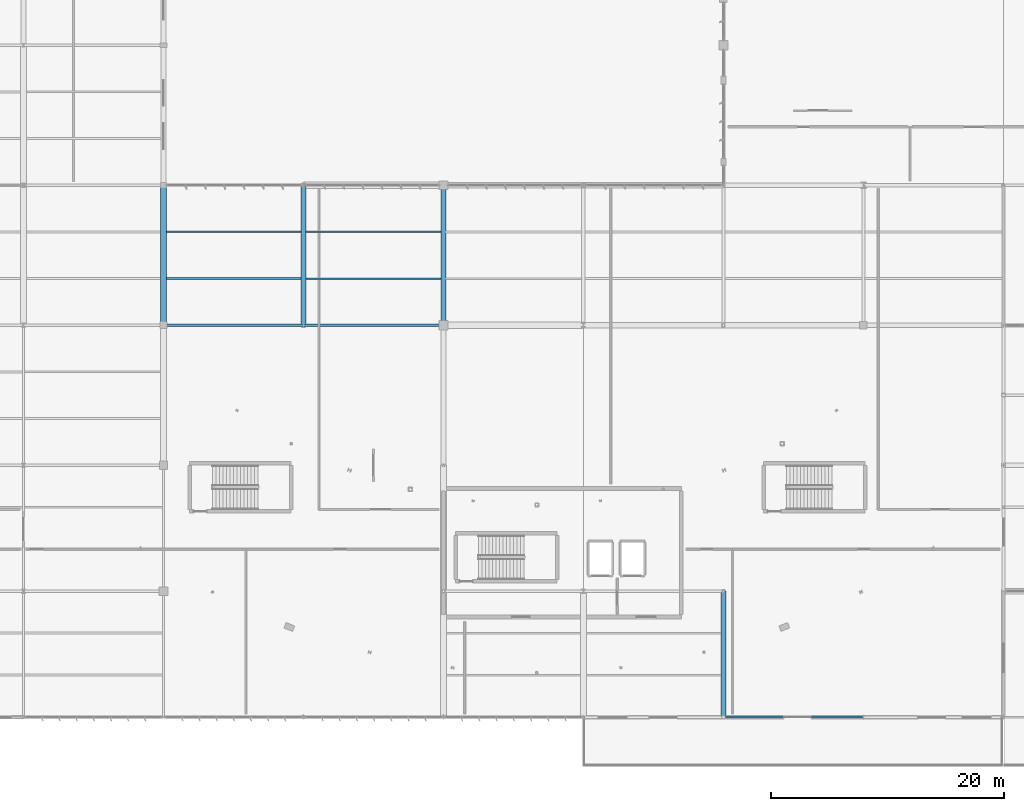
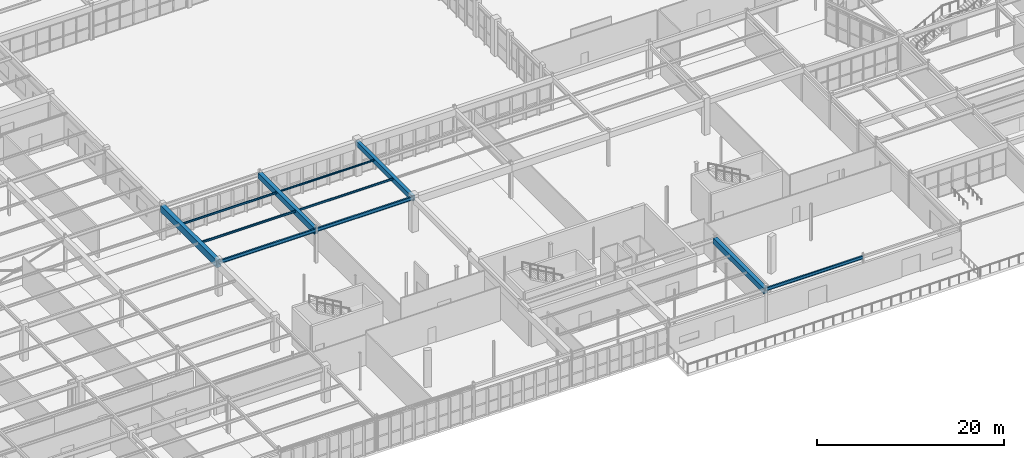
# One storey, part 75 of 199: 11 beams.
"""IFC4 building model written with IfcOpenShell, lengths in metres."""

from ifc_helpers import new_model, si_unit, direction, frame, origin, origin_2d, place, context, subcontext, project, spatial, rectangle, i_section, extrude, material, material_profile, profile_set, type_object, element, save


model = new_model("IFC4")

# Units and contexts
model_context = context("Model", 3, precision=1e-05, world=origin(), true_north=direction((0.0, 1.0)))
body_context = subcontext(model_context, "Body", "Model", "MODEL_VIEW")
ifc_project = project(units=[si_unit("LENGTHUNIT", "METRE"), si_unit("AREAUNIT", "SQUARE_METRE"), si_unit("VOLUMEUNIT", "CUBIC_METRE"), si_unit("PLANEANGLEUNIT", "RADIAN"), si_unit("MASSUNIT", "GRAM", prefix="KILO")], contexts=[model_context])

# Site, building, storey
site_placement = place(None, origin())
site = spatial("IfcSite", under=ifc_project, at=site_placement, CompositionType="ELEMENT")
building_placement = place(site_placement, origin())
building = spatial("IfcBuilding", under=site, at=building_placement, Name="Tarnwether General Hospital", CompositionType="ELEMENT")
storey_placement = place(building_placement, origin())
storey = spatial("IfcBuildingStorey", under=building, at=storey_placement, Name="L00", CompositionType="ELEMENT", Elevation=0.0)

# Beams
ifc_material_1 = material(Name="Steel Grade 350 (350 MPa)", Category="steel")
ifc_material_profile_1 = material_profile(ifc_material_1, i_section(OverallWidth=0.18994140625, OverallDepth=0.45703125, WebThickness=0.009033203125, FlangeThickness=0.014404296875, at=origin_2d()), Name="460UB74.6")
ifc_profile_set_1 = profile_set([ifc_material_profile_1], Name="Steel Grade 350 (350 MPa)")
beam_type_1 = type_object("IfcBeamType", Name="BM-G09", PredefinedType="BEAM", material=ifc_profile_set_1)
beam_1_placement = place(storey_placement, frame((60.0, 33.60009765625, 4.216552734375), z_axis=(1.0, 0.0, 0.0), x_axis=(0.0, 1.0, 0.0)))
element("IfcBeam", 1, at=beam_1_placement, inside=storey, type_object=beam_type_1, Name="Primary Girder BMG-L00-6000_3360-7200_3360-0696", PredefinedType="BEAM", context=body_context, shape_type="SweptSolid", body=[
    extrude(i_section(OverallWidth=0.18994140625, OverallDepth=0.45703125, WebThickness=0.009033203125, FlangeThickness=0.014404296875, at=origin_2d()), origin(), (0.0, 0.0, 1.0), 12.0),
])
ifc_material_2 = material(Name="Steel Grade 350 (350 MPa)", Category="steel")
ifc_material_profile_2 = material_profile(ifc_material_2, i_section(OverallWidth=0.18994140625, OverallDepth=0.4541015625, WebThickness=0.008544921875, FlangeThickness=0.0126953125, at=origin_2d()), Name="460UB67.1")
ifc_profile_set_2 = profile_set([ifc_material_profile_2], Name="Steel Grade 350 (350 MPa)")
beam_type_2 = type_object("IfcBeamType", Name="BM-G10", PredefinedType="BEAM", material=ifc_profile_set_2)
beam_2_placement = place(storey_placement, frame((72.0, 33.60009765625, 4.218017578125), z_axis=(1.0, 0.0, 0.0), x_axis=(0.0, 1.0, 0.0)))
element("IfcBeam", 2, at=beam_2_placement, inside=storey, type_object=beam_type_2, Name="Primary Girder BMG-L00-7200_3360-8400_3360-0710", PredefinedType="BEAM", context=body_context, shape_type="SweptSolid", body=[
    extrude(i_section(OverallWidth=0.18994140625, OverallDepth=0.4541015625, WebThickness=0.008544921875, FlangeThickness=0.0126953125, at=origin_2d()), origin(), (0.0, 0.0, 1.0), 12.0),
])
ifc_material_3 = material(Name="Concrete 40 MPa", Category="concrete")
ifc_material_profile_3 = material_profile(ifc_material_3, rectangle(XDim=0.5, YDim=0.89990234375, at=origin_2d()), Name="RC-BM-500x900")
ifc_profile_set_3 = profile_set([ifc_material_profile_3], Name="Concrete 40 MPa")
beam_type_3 = type_object("IfcBeamType", Name="BM-G12", PredefinedType="BEAM", material=ifc_profile_set_3)
beam_3_placement = place(storey_placement, frame((60.0, 33.60009765625, 3.9951171875), z_axis=(0.0, 1.0, 0.0), x_axis=(-1.0, 0.0, 0.0)))
element("IfcBeam", 3, at=beam_3_placement, inside=storey, type_object=beam_type_3, Name="Primary Girder BMG-L00-6000_3360-6000_4560-0697", PredefinedType="BEAM", context=body_context, shape_type="SweptSolid", body=[
    extrude(rectangle(XDim=0.5, YDim=0.89990234375, at=origin_2d()), origin(), (0.0, 0.0, 1.0), 12.0),
])
ifc_material_4 = material(Name="Concrete 40 MPa", Category="concrete")
ifc_material_profile_4 = material_profile(ifc_material_4, rectangle(XDim=0.449951171875, YDim=0.75, at=origin_2d()), Name="RC-BM-450x750")
ifc_profile_set_4 = profile_set([ifc_material_profile_4], Name="Concrete 40 MPa")
beam_type_4 = type_object("IfcBeamType", Name="BM-G13", PredefinedType="BEAM", material=ifc_profile_set_4)
beam_4_placement = place(storey_placement, frame((72.0, 33.60009765625, 4.070068359375), z_axis=(0.0, 1.0, 0.0), x_axis=(-1.0, 0.0, 0.0)))
element("IfcBeam", 4, at=beam_4_placement, inside=storey, type_object=beam_type_4, Name="Primary Girder BMG-L00-7200_3360-7200_4560-0711", PredefinedType="BEAM", context=body_context, shape_type="SweptSolid", body=[
    extrude(rectangle(XDim=0.449951171875, YDim=0.75, at=origin_2d()), origin(), (0.0, 0.0, 1.0), 12.0),
])
beam_5_placement = place(storey_placement, frame((108.0, 0.0, 4.070068359375), z_axis=(0.0, 1.0, 0.0), x_axis=(-1.0, 0.0, 0.0)))
element("IfcBeam", 5, at=beam_5_placement, inside=storey, type_object=beam_type_4, Name="Primary Girder BMG-L00-10800_0-10800_1080-0746", PredefinedType="BEAM", context=body_context, shape_type="SweptSolid", body=[
    extrude(rectangle(XDim=0.449951171875, YDim=0.75, at=origin_2d()), origin(), (0.0, 0.0, 1.0), 10.800048828125),
])
ifc_material_5 = material(Name="Concrete 40 MPa", Category="concrete")
ifc_material_profile_5 = material_profile(ifc_material_5, rectangle(XDim=0.39990234375, YDim=0.64990234375, at=origin_2d()), Name="RC-BM-400x650")
ifc_profile_set_5 = profile_set([ifc_material_profile_5], Name="Concrete 40 MPa")
beam_type_5 = type_object("IfcBeamType", Name="BM-G14", PredefinedType="BEAM", material=ifc_profile_set_5)
beam_6_placement = place(storey_placement, frame((84.0, 33.60009765625, 4.1201171875), z_axis=(0.0, 1.0, 0.0), x_axis=(-1.0, 0.0, 0.0)))
element("IfcBeam", 6, at=beam_6_placement, inside=storey, type_object=beam_type_5, Name="Primary Girder BMG-L00-8400_3360-8400_4560-0723", PredefinedType="BEAM", context=body_context, shape_type="SweptSolid", body=[
    extrude(rectangle(XDim=0.39990234375, YDim=0.64990234375, at=origin_2d()), origin(), (0.0, 0.0, 1.0), 12.0),
])
ifc_material_6 = material(Name="Steel Grade 350 (350 MPa)", Category="steel")
ifc_material_profile_6 = material_profile(ifc_material_6, i_section(OverallWidth=0.14599609375, OverallDepth=0.251953125, WebThickness=0.006103515625, FlangeThickness=0.008544921875, at=origin_2d()), Name="250UB31.4")
ifc_profile_set_6 = profile_set([ifc_material_profile_6], Name="Steel Grade 350 (350 MPa)")
beam_type_6 = type_object("IfcBeamType", Name="BM-J10", PredefinedType="JOIST", material=ifc_profile_set_6)
beam_7_placement = place(storey_placement, frame((60.243896484375, 37.60009765625, 4.319091796875), z_axis=(1.0, 0.0, 0.0), x_axis=(0.0, 1.0, 0.0)))
element("IfcBeam", 7, at=beam_7_placement, inside=storey, type_object=beam_type_6, Name="Composite Floor Joist BMG-L00-6024_3760-7178_3760-0965", PredefinedType="JOIST", context=body_context, shape_type="SweptSolid", body=[
    extrude(i_section(OverallWidth=0.14599609375, OverallDepth=0.251953125, WebThickness=0.006103515625, FlangeThickness=0.008544921875, at=origin_2d()), origin(), (0.0, 0.0, 1.0), 11.537109375),
])
ifc_material_7 = material(Name="Steel Grade 350 (350 MPa)", Category="steel")
ifc_material_profile_7 = material_profile(ifc_material_7, i_section(OverallWidth=0.1240234375, OverallDepth=0.248046875, WebThickness=0.0048828125, FlangeThickness=0.008056640625, at=origin_2d()), Name="250UB25.7")
ifc_profile_set_7 = profile_set([ifc_material_profile_7], Name="Steel Grade 350 (350 MPa)")
beam_type_7 = type_object("IfcBeamType", Name="BM-J11", PredefinedType="JOIST", material=ifc_profile_set_7)
beam_8_placement = place(storey_placement, frame((60.243896484375, 41.60009765625, 4.321044921875), z_axis=(1.0, 0.0, 0.0), x_axis=(0.0, 1.0, 0.0)))
element("IfcBeam", 8, at=beam_8_placement, inside=storey, type_object=beam_type_7, Name="Composite Floor Joist BMG-L00-6024_4160-7178_4160-0966", PredefinedType="JOIST", context=body_context, shape_type="SweptSolid", body=[
    extrude(i_section(OverallWidth=0.1240234375, OverallDepth=0.248046875, WebThickness=0.0048828125, FlangeThickness=0.008056640625, at=origin_2d()), origin(), (0.0, 0.0, 1.0), 11.537109375),
])
beam_9_placement = place(storey_placement, frame((72.218994140625, 37.60009765625, 4.321044921875), z_axis=(1.0, 0.0, 0.0), x_axis=(0.0, 1.0, 0.0)))
element("IfcBeam", 9, at=beam_9_placement, inside=storey, type_object=beam_type_7, Name="Composite Floor Joist BMG-L00-7222_3760-8381_3760-0969", PredefinedType="JOIST", context=body_context, shape_type="SweptSolid", body=[
    extrude(i_section(OverallWidth=0.1240234375, OverallDepth=0.248046875, WebThickness=0.0048828125, FlangeThickness=0.008056640625, at=origin_2d()), origin(), (0.0, 0.0, 1.0), 11.5869140625),
])
ifc_material_8 = material(Name="Steel Grade 350 (350 MPa)", Category="steel")
ifc_material_profile_8 = material_profile(ifc_material_8, i_section(OverallWidth=0.134033203125, OverallDepth=0.20703125, WebThickness=0.00634765625, FlangeThickness=0.009521484375, at=origin_2d()), Name="200UB29.8")
ifc_profile_set_8 = profile_set([ifc_material_profile_8], Name="Steel Grade 350 (350 MPa)")
beam_type_8 = type_object("IfcBeamType", Name="BM-J12", PredefinedType="JOIST", material=ifc_profile_set_8)
beam_10_placement = place(storey_placement, frame((72.218994140625, 41.60009765625, 4.341552734375), z_axis=(1.0, 0.0, 0.0), x_axis=(0.0, 1.0, 0.0)))
element("IfcBeam", 10, at=beam_10_placement, inside=storey, type_object=beam_type_8, Name="Composite Floor Joist BMG-L00-7222_4160-8381_4160-0970", PredefinedType="JOIST", context=body_context, shape_type="SweptSolid", body=[
    extrude(i_section(OverallWidth=0.134033203125, OverallDepth=0.20703125, WebThickness=0.00634765625, FlangeThickness=0.009521484375, at=origin_2d()), origin(), (0.0, 0.0, 1.0), 11.5869140625),
])
ifc_material_9 = material(Name="Steel Grade 350 (350 MPa)", Category="steel")
ifc_material_profile_9 = material_profile(ifc_material_9, i_section(OverallWidth=0.177978515625, OverallDepth=0.403076171875, WebThickness=0.007568359375, FlangeThickness=0.010986328125, at=origin_2d()), Name="410UB53.7")
ifc_profile_set_9 = profile_set([ifc_material_profile_9], Name="Steel Grade 350 (350 MPa)")
beam_type_9 = type_object("IfcBeamType", Name="BM-SP2", PredefinedType="SPANDREL", material=ifc_profile_set_9)
beam_11_placement = place(storey_placement, frame((108.0, 0.0, 4.243408203125), z_axis=(1.0, 0.0, 0.0), x_axis=(0.0, 1.0, 0.0)))
element("IfcBeam", 11, at=beam_11_placement, inside=storey, type_object=beam_type_9, Name="Primary Girder BMG-L00-10800_0-12000_0-0745", PredefinedType="SPANDREL", context=body_context, shape_type="SweptSolid", body=[
    extrude(i_section(OverallWidth=0.177978515625, OverallDepth=0.403076171875, WebThickness=0.007568359375, FlangeThickness=0.010986328125, at=origin_2d()), origin(), (0.0, 0.0, 1.0), 12.0),
])

save(model, "model.ifc")
